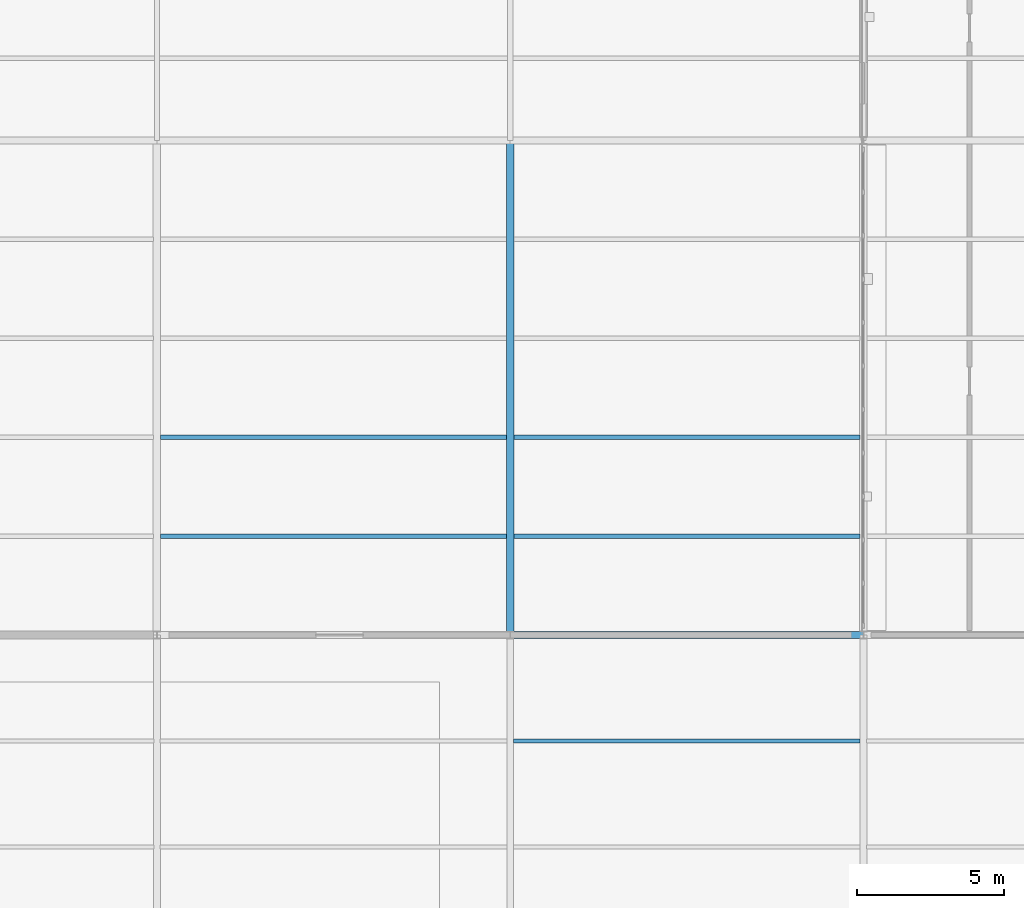
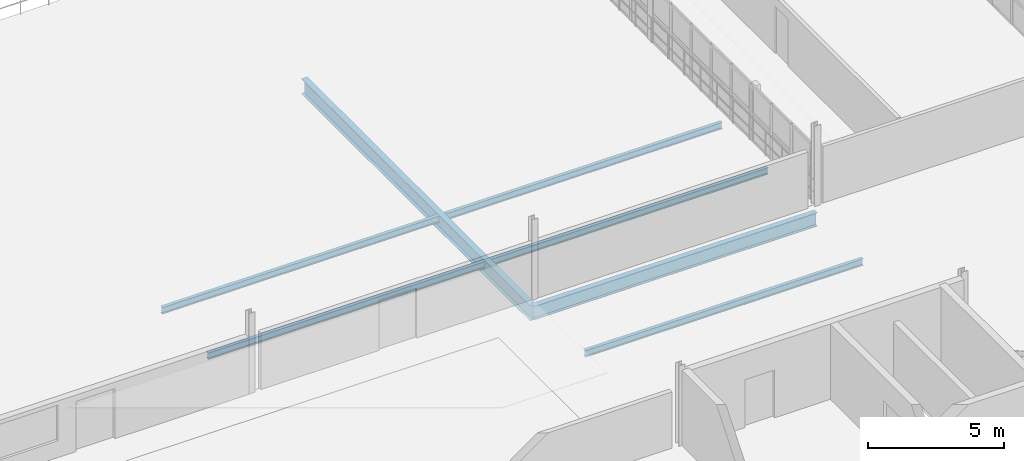
# One storey, part 36 of 74: 7 beams.
"""IFC4 building model written with IfcOpenShell, lengths in metres."""

from ifc_helpers import new_model, si_unit, direction, frame, origin, origin_2d, place, context, subcontext, project, spatial, i_section, extrude, material, material_profile, profile_set, type_object, element, save


model = new_model("IFC4")

# Units and contexts
model_context = context("Model", 3, precision=1e-05, world=origin(), true_north=direction((0.0, 1.0)))
body_context = subcontext(model_context, "Body", "Model", "MODEL_VIEW")
ifc_project = project(units=[si_unit("LENGTHUNIT", "METRE"), si_unit("AREAUNIT", "SQUARE_METRE"), si_unit("VOLUMEUNIT", "CUBIC_METRE"), si_unit("PLANEANGLEUNIT", "RADIAN"), si_unit("MASSUNIT", "GRAM", prefix="KILO"), si_unit("THERMODYNAMICTEMPERATUREUNIT", "KELVIN"), si_unit("POWERUNIT", "WATT")], contexts=[model_context])

# Site, building, storey
site_placement = place(None, origin())
site = spatial("IfcSite", under=ifc_project, at=site_placement, CompositionType="ELEMENT")
building_placement = place(site_placement, origin())
building = spatial("IfcBuilding", under=site, at=building_placement, Name="Tembeka Court Mobility Hub", CompositionType="ELEMENT")
storey_placement = place(building_placement, frame((0.0, 0.0, 12.60009765625)))
storey = spatial("IfcBuildingStorey", under=building, at=storey_placement, Name="L03", CompositionType="ELEMENT", Elevation=12.60009765625)

# Beams
ifc_material = material(Name="Steel S355", Category="steel")
ifc_material_profile_1 = material_profile(ifc_material, i_section(OverallWidth=0.25390625, OverallDepth=0.68408203125, WebThickness=0.012451171875, FlangeThickness=0.01904296875, FilletRadius=0.01513671875, at=origin_2d()), Name="UKB 686x254x140")
ifc_profile_set_1 = profile_set([ifc_material_profile_1], Name="Steel S355")
beam_type_1 = type_object("IfcBeamType", Name="BM-G01", PredefinedType="USERDEFINED", material=ifc_profile_set_1)
beam_1_placement = place(storey_placement, frame((152.39990234375, 21.60009765625, -0.662109375), z_axis=(0.0, 1.0, 0.0), x_axis=(-1.0, 0.0, 0.0)))
element("IfcBeam", 1, at=beam_1_placement, inside=storey, type_object=beam_type_1, Name="Beam G01 (BM-L03-Y1932)", ObjectType="GIRDER", PredefinedType="USERDEFINED", context=body_context, shape_type="SweptSolid", body=[
    extrude(i_section(OverallWidth=0.25390625, OverallDepth=0.68408203125, WebThickness=0.012451171875, FlangeThickness=0.01904296875, FilletRadius=0.01513671875, at=origin_2d()), origin(), (0.0, 0.0, 1.0), 16.7998046875),
])
ifc_material_profile_2 = material_profile(ifc_material, i_section(OverallWidth=0.22900390625, OverallDepth=0.612060546875, WebThickness=0.011962890625, FlangeThickness=0.01953125, FilletRadius=0.0126953125, at=origin_2d()), Name="UKB 610x229x125")
ifc_profile_set_2 = profile_set([ifc_material_profile_2], Name="Steel S355")
beam_type_2 = type_object("IfcBeamType", Name="BM-G02", PredefinedType="USERDEFINED", material=ifc_profile_set_2)
beam_2_placement = place(storey_placement, frame((152.39990234375, 21.60009765625, -0.6259765625), z_axis=(1.0, 0.0, 0.0), x_axis=(0.0, 1.0, 0.0)))
element("IfcBeam", 2, at=beam_2_placement, inside=storey, type_object=beam_type_2, Name="Beam G02 (BM-L03-X1716)", ObjectType="GIRDER", PredefinedType="USERDEFINED", context=body_context, shape_type="SweptSolid", body=[
    extrude(i_section(OverallWidth=0.22900390625, OverallDepth=0.612060546875, WebThickness=0.011962890625, FlangeThickness=0.01953125, FilletRadius=0.0126953125, at=origin_2d()), origin(), (0.0, 0.0, 1.0), 12.0),
])
ifc_material_profile_3 = material_profile(ifc_material, i_section(OverallWidth=0.14990234375, OverallDepth=0.300048828125, WebThickness=0.007080078125, FlangeThickness=0.0107421875, FilletRadius=0.014892578125, at=origin_2d()), Name="IPE 300")
ifc_profile_set_3 = profile_set([ifc_material_profile_3], Name="Steel S355")
beam_type_3 = type_object("IfcBeamType", Name="BM-J04", PredefinedType="JOIST", material=ifc_profile_set_3)
for number, where, z_axis, x_axis, name in (
    (3, (140.52197265625, 24.9599609375, -0.47021484375), (1.0, 0.0, 0.0), (0.0, 1.0, 0.0), "Beam J04 (JST-L03-2156)"),
    (4, (140.52197265625, 28.320068359375, -0.47021484375), (1.0, 0.0, 0.0), (0.0, 1.0, 0.0), "Beam J04 (JST-L03-2157)"),
):
    element("IfcBeam", number, at=place(storey_placement, frame(where, z_axis=z_axis, x_axis=x_axis)), inside=storey, type_object=beam_type_3, Name=name, PredefinedType="JOIST", context=body_context, shape_type="SweptSolid", body=[
        extrude(i_section(OverallWidth=0.14990234375, OverallDepth=0.300048828125, WebThickness=0.007080078125, FlangeThickness=0.0107421875, FilletRadius=0.014892578125, at=origin_2d()), origin(), (0.0, 0.0, 1.0), 11.756103515625),
    ])
beam_3_placement = place(storey_placement, frame((152.509521484375, 18.0, -0.340087890625), z_axis=(1.0, 0.0, 0.0), x_axis=(0.0, 1.0, 0.0)))
element("IfcBeam", 5, at=beam_3_placement, inside=storey, type_object=beam_type_3, Name="Beam J04 (JST-L03-2164)", PredefinedType="JOIST", context=body_context, shape_type="SweptSolid", body=[
    extrude(i_section(OverallWidth=0.14990234375, OverallDepth=0.300048828125, WebThickness=0.007080078125, FlangeThickness=0.0107421875, FilletRadius=0.014892578125, at=origin_2d()), origin(), (0.0, 0.0, 1.0), 11.781005859375),
])
for number, where, z_axis, x_axis, name in (
    (6, (152.52197265625, 24.9599609375, -0.47021484375), (1.0, 0.0, 0.0), (0.0, 1.0, 0.0), "Beam J04 (JST-L03-2165)"),
    (7, (152.52197265625, 28.320068359375, -0.47021484375), (1.0, 0.0, 0.0), (0.0, 1.0, 0.0), "Beam J04 (JST-L03-2166)"),
):
    element("IfcBeam", number, at=place(storey_placement, frame(where, z_axis=z_axis, x_axis=x_axis)), inside=storey, type_object=beam_type_3, Name=name, PredefinedType="JOIST", context=body_context, shape_type="SweptSolid", body=[
        extrude(i_section(OverallWidth=0.14990234375, OverallDepth=0.300048828125, WebThickness=0.007080078125, FlangeThickness=0.0107421875, FilletRadius=0.014892578125, at=origin_2d()), origin(), (0.0, 0.0, 1.0), 11.756103515625),
    ])

save(model, "model.ifc")
